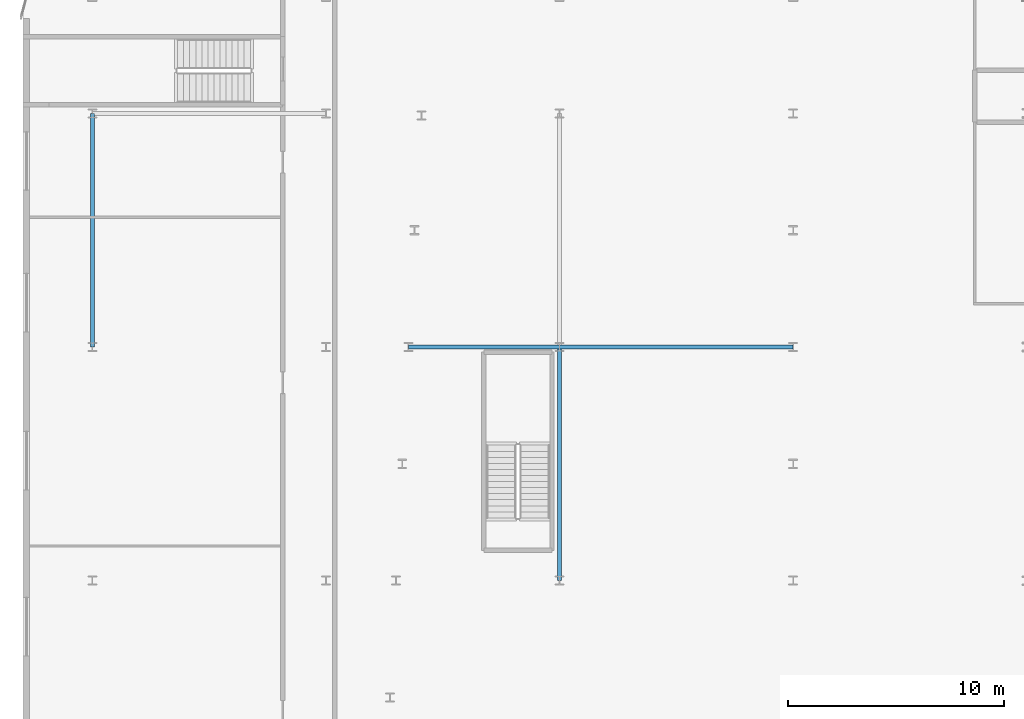
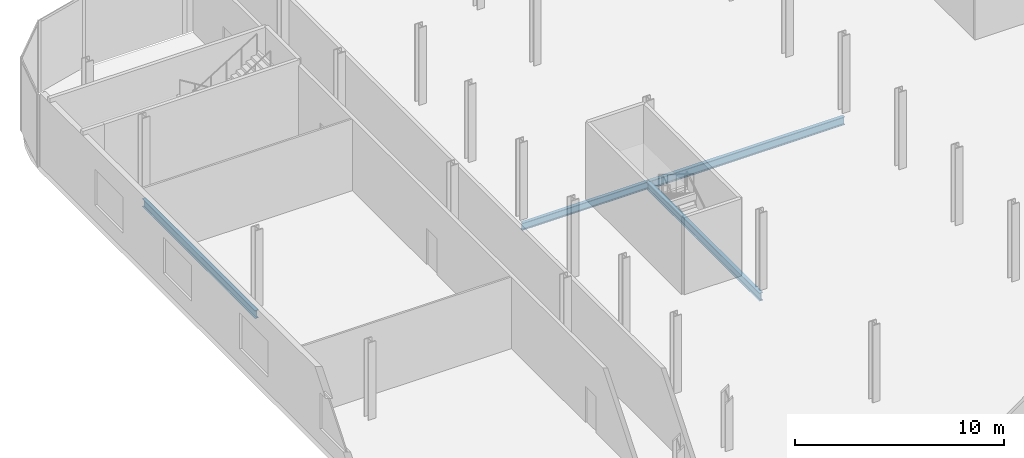
# One storey, part 15 of 47: 4 beams.
"""IFC4 building model written with IfcOpenShell, lengths in metres."""

from ifc_helpers import new_model, si_unit, direction, frame, origin, origin_2d, place, context, subcontext, project, spatial, i_section, extrude, material, material_profile, profile_set, type_object, element, save


model = new_model("IFC4")

# Units and contexts
model_context = context("Model", 3, precision=1e-05, world=origin(), true_north=direction((0.0, 1.0)))
body_context = subcontext(model_context, "Body", "Model", "MODEL_VIEW")
ifc_project = project(units=[si_unit("LENGTHUNIT", "METRE"), si_unit("AREAUNIT", "SQUARE_METRE"), si_unit("VOLUMEUNIT", "CUBIC_METRE"), si_unit("PLANEANGLEUNIT", "RADIAN"), si_unit("MASSUNIT", "GRAM", prefix="KILO")], contexts=[model_context])

# Site, building, storey
site_placement = place(None, origin())
site = spatial("IfcSite", under=ifc_project, at=site_placement, CompositionType="ELEMENT")
building_placement = place(site_placement, origin())
building = spatial("IfcBuilding", under=site, at=building_placement, Name="Kheshtan School and Residences Tower", CompositionType="ELEMENT")
storey_placement = place(building_placement, frame((0.0, 0.0, 12.5)))
storey = spatial("IfcBuildingStorey", under=building, at=storey_placement, Name="L02", CompositionType="ELEMENT", Elevation=12.5)

# Beams
ifc_material = material(Name="Steel ASTM A992 Grade 50", Category="steel")
ifc_material_profile_1 = material_profile(ifc_material, i_section(OverallWidth=0.180908203125, OverallDepth=0.4169921875, WebThickness=0.010986328125, FlangeThickness=0.018310546875, FilletRadius=0.012451171875, at=origin_2d()), Name="W410x85")
ifc_profile_set_1 = profile_set([ifc_material_profile_1], Name="Steel ASTM A992 Grade 50")
beam_type_1 = type_object("IfcBeamType", Name="Beam PB1 W410x85 ASTM A992 Grade 50", PredefinedType="BEAM", material=ifc_profile_set_1)
beam_placement = place(storey_placement, frame((29.81005859375, 88.800048828125, -0.528564453125), z_axis=(1.0, 0.0, 0.0), x_axis=(0.0, 1.0, 0.0)))
element("IfcBeam", 1, at=beam_placement, inside=storey, type_object=beam_type_1, Name="Podium floor beam PB1", PredefinedType="BEAM", context=body_context, shape_type="SweptSolid", body=[
    extrude(i_section(OverallWidth=0.180908203125, OverallDepth=0.4169921875, WebThickness=0.010986328125, FlangeThickness=0.018310546875, FilletRadius=0.012451171875, at=origin_2d()), origin(), (0.0, 0.0, 1.0), 6.989990234375),
])
ifc_material_profile_2 = material_profile(ifc_material, i_section(OverallWidth=0.194091796875, OverallDepth=0.468994140625, WebThickness=0.0126953125, FlangeThickness=0.0205078125, FilletRadius=0.01416015625, at=origin_2d()), Name="W460x106")
ifc_profile_set_2 = profile_set([ifc_material_profile_2], Name="Steel ASTM A992 Grade 50")
beam_type_2 = type_object("IfcBeamType", Name="Beam PB2 W460x106 ASTM A992 Grade 50", PredefinedType="BEAM", material=ifc_profile_set_2)
for number, where, z_axis, x_axis, name in (
    (2, (15.199951171875, 88.800048828125, -0.554443359375), (0.0, 1.0, 0.0), (-1.0, 0.0, 0.0), "Podium floor beam PB2"),
    (3, (36.800048828125, 78.0, -0.554443359375), (0.0, 1.0, 0.0), (-1.0, 0.0, 0.0), "Podium floor beam PB2"),
    (4, (36.800048828125, 88.800048828125, -0.554443359375), (1.0, 0.0, 0.0), (0.0, 1.0, 0.0), "Podium floor beam PB2"),
):
    element("IfcBeam", number, at=place(storey_placement, frame(where, z_axis=z_axis, x_axis=x_axis)), inside=storey, type_object=beam_type_2, Name=name, PredefinedType="BEAM", context=body_context, shape_type="SweptSolid", body=[
        extrude(i_section(OverallWidth=0.194091796875, OverallDepth=0.468994140625, WebThickness=0.0126953125, FlangeThickness=0.0205078125, FilletRadius=0.01416015625, at=origin_2d()), origin(), (0.0, 0.0, 1.0), 10.800048828125),
    ])

save(model, "model.ifc")
